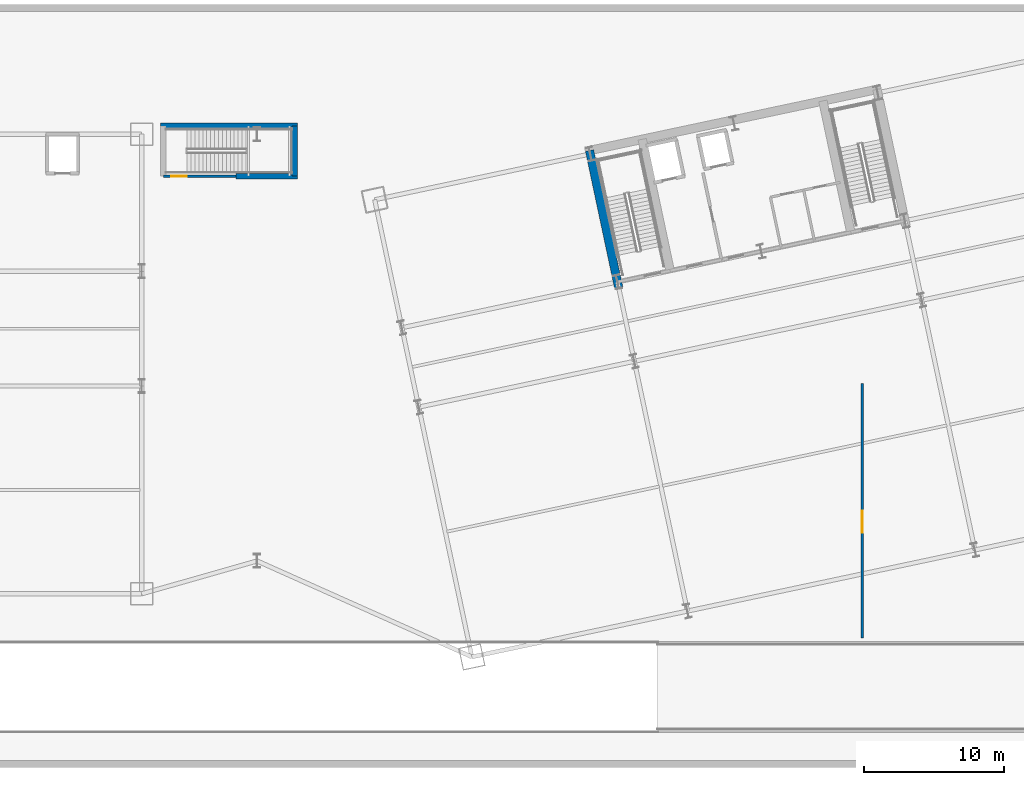
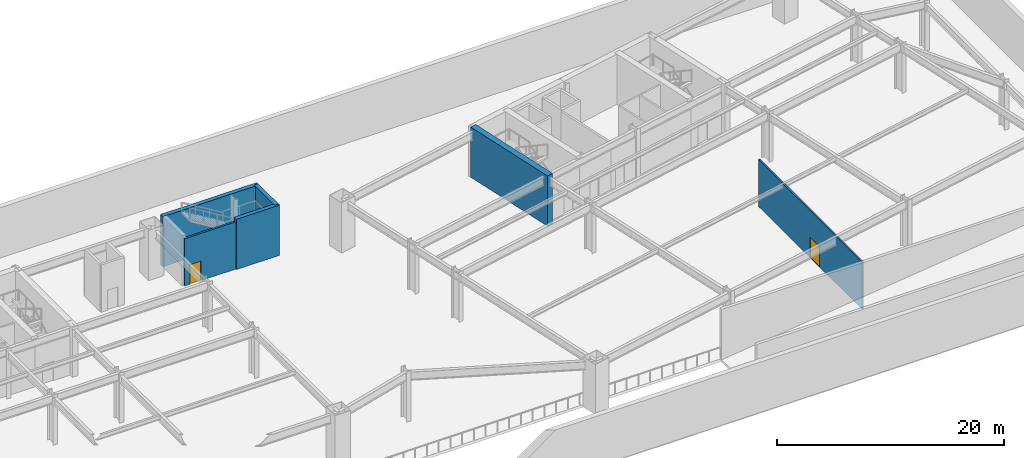
# One storey, part 8 of 16: 6 walls, 2 doors, 2 openings.
"""IFC4 building model written with IfcOpenShell, lengths in metres."""

from ifc_helpers import new_model, si_unit, direction, frame, frame_2d, origin, place, context, subcontext, project, spatial, rectangle, extrude, material, layer, layer_set, type_object, element, fill, save


model = new_model("IFC4")

# Units and contexts
model_context = context("Model", 3, precision=1e-05, world=origin(), true_north=direction((0.0, 1.0)))
body_context = subcontext(model_context, "Body", "Model", "MODEL_VIEW")
ifc_project = project(units=[si_unit("LENGTHUNIT", "METRE"), si_unit("AREAUNIT", "SQUARE_METRE"), si_unit("VOLUMEUNIT", "CUBIC_METRE"), si_unit("PLANEANGLEUNIT", "RADIAN"), si_unit("MASSUNIT", "GRAM", prefix="KILO")], contexts=[model_context])

# Site, building, storey
site_placement = place(None, origin())
site = spatial("IfcSite", under=ifc_project, at=site_placement, CompositionType="ELEMENT")
building_placement = place(site_placement, origin())
building = spatial("IfcBuilding", under=site, at=building_placement, Name="Haevon Station Towers", CompositionType="ELEMENT")
storey_placement = place(building_placement, frame((0.0, 0.0, -5.39990234375)))
storey = spatial("IfcBuildingStorey", under=building, at=storey_placement, Name="B01", CompositionType="ELEMENT", Elevation=-5.39990234375)

# Wall, opening, door
ifc_material_1 = material(Name="Gypsum board on steel stud", Category="steel")
ifc_layer_1 = layer(ifc_material_1, 0.199951171875)
ifc_layer_set_1 = layer_set([ifc_layer_1], Name="Gypsum board on steel stud")
wall_type_1 = type_object("IfcWallType", Name="WL-COR200", PredefinedType="PARTITIONING", material=ifc_layer_set_1)
wall_1_placement = place(storey_placement, frame((66.300048828125, 45.0, 0.0), z_axis=(0.0, 0.0, 1.0), x_axis=(1.0, 0.0, 0.0)))
wall_1 = element("IfcWall", 1, at=wall_1_placement, inside=storey, type_object=wall_type_1, Name="WL-ST-ST6-B01-S", PredefinedType="PARTITIONING", context=body_context, shape_type="SweptSolid", body=[
    extrude(rectangle(XDim=5.199951171875, YDim=0.199951171875, at=frame_2d((2.60009765625, 0.0))), origin(), (0.0, 0.0, 1.0), 5.079833984375),
])
opening_1_placement = place(wall_1_placement, frame((0.550048828125, 0.0, 0.0)))
opening_1 = element("IfcOpeningElement", 2, at=opening_1_placement, cuts=wall_1, Name="Opening DR-ST-ST6-B01", PredefinedType="OPENING", context=body_context, shape_type="SweptSolid", body=[
    extrude(rectangle(XDim=1.1201171875, YDim=2.10009765625, at=frame_2d((0.56005859375, 1.050048828125))), frame((0.0, 0.10986328125, 0.0), z_axis=(0.0, -1.0, 0.0), x_axis=(1.0, 0.0, 0.0)), (0.0, 0.0, 1.0), 0.219970703125),
])
ifc_material_2 = material(Name="Engineered oak timber", Category="wood")
door_type_1 = type_object("IfcDoorType", Name="DR-ST-1120", OperationType="NOTDEFINED", PredefinedType="DOOR", material=ifc_material_2)
door_1_placement = place(opening_1_placement, origin())
door_1 = element("IfcDoor", 3, at=door_1_placement, inside=storey, type_object=door_type_1, Name="B01 Station Escape Stair ST6 Fire Door", OperationType="SINGLE_SWING_RIGHT", OverallHeight=2.10009765625, OverallWidth=1.1201171875, PredefinedType="DOOR", context=body_context, shape_type="SweptSolid", body=[
    extrude(rectangle(XDim=1.1201171875, YDim=2.10009765625, at=frame_2d((0.56005859375, 1.050048828125))), frame((0.0, 0.02490234375, 0.0), z_axis=(0.0, -1.0, 0.0), x_axis=(1.0, 0.0, 0.0)), (0.0, 0.0, 1.0), 0.050048828125),
])
fill(opening_1, door_1)

# Walls
ifc_material_3 = material(Name="Concrete C60/75", Category="concrete")
ifc_layer_2 = layer(ifc_material_3, 0.39990234375)
ifc_layer_set_2 = layer_set([ifc_layer_2], Name="Concrete C60/75")
wall_type_2 = type_object("IfcWallType", Name="WL-CR400", PredefinedType="SHEAR", material=ifc_layer_set_2)
wall_2_placement = place(storey_placement, frame((66.10009765625, 48.60009765625, 0.0), z_axis=(0.0, 0.0, 1.0), x_axis=(1.0, 0.0, 0.0)))
element("IfcWall", 4, at=wall_2_placement, inside=storey, type_object=wall_type_2, Name="WL-ST6CR-B01-N", PredefinedType="SHEAR", context=body_context, shape_type="SweptSolid", body=[
    extrude(rectangle(XDim=9.7998046875, YDim=0.39990234375, at=frame_2d((4.89990234375, 0.0))), origin(), (0.0, 0.0, 1.0), 5.39990234375),
])
wall_3_placement = place(storey_placement, frame((75.699951171875, 45.0, 0.0), z_axis=(0.0, 0.0, 1.0), x_axis=(0.0, 1.0, 0.0)))
element("IfcWall", 5, at=wall_3_placement, inside=storey, type_object=wall_type_2, Name="WL-ST6CR-B01-E", PredefinedType="SHEAR", context=body_context, shape_type="SweptSolid", body=[
    extrude(rectangle(XDim=3.60009765625, YDim=0.39990234375, at=frame_2d((1.800048828125, 0.0))), origin(), (0.0, 0.0, 1.0), 5.39990234375),
])
wall_4_placement = place(storey_placement, frame((71.5, 45.0, 0.0), z_axis=(0.0, 0.0, 1.0), x_axis=(1.0, 0.0, 0.0)))
element("IfcWall", 6, at=wall_4_placement, inside=storey, type_object=wall_type_2, Name="WL-ST6CR-B01-S2", PredefinedType="SHEAR", context=body_context, shape_type="SweptSolid", body=[
    extrude(rectangle(XDim=4.39990234375, YDim=0.39990234375, at=frame_2d((2.199951171875, 0.0))), origin(), (0.0, 0.0, 1.0), 5.39990234375),
])
ifc_layer_3 = layer(ifc_material_3, 0.60009765625)
ifc_layer_set_3 = layer_set([ifc_layer_3], Name="Concrete C60/75")
wall_type_3 = type_object("IfcWallType", Name="WL-CR600", PredefinedType="SHEAR", material=ifc_layer_set_3)
wall_5_placement = place(storey_placement, frame((98.8603515625, 36.933837890625, 0.0), z_axis=(0.0, 0.0, 1.0), x_axis=(-0.20790924889, 0.978148119778, 0.0)))
element("IfcWall", 7, at=wall_5_placement, inside=storey, type_object=wall_type_3, Name="WL-T2CR-B01-W", PredefinedType="SHEAR", context=body_context, shape_type="SweptSolid", body=[
    extrude(rectangle(XDim=10.119873046875, YDim=0.60009765625, at=frame_2d((5.06005859375, 0.0))), origin(), (0.0, 0.0, 1.0), 5.39990234375),
])

# Wall, opening, door
ifc_layer_4 = layer(ifc_material_1, 0.159912109375)
ifc_layer_set_4 = layer_set([ifc_layer_4], Name="Gypsum board on steel stud")
wall_type_4 = type_object("IfcWallType", Name="WL-PRT160", PredefinedType="PARTITIONING", material=ifc_layer_set_4)
wall_6_placement = place(storey_placement, frame((116.25, 12.0, 0.0), z_axis=(0.0, 0.0, 1.0), x_axis=(0.0, 1.0, 0.0)))
wall_6 = element("IfcWall", 8, at=wall_6_placement, inside=storey, type_object=wall_type_4, Name="WL-B01-BIKE", PredefinedType="PARTITIONING", context=body_context, shape_type="SweptSolid", body=[
    extrude(rectangle(XDim=18.199951171875, YDim=0.159912109375, at=frame_2d((9.10009765625, 0.0))), origin(), (0.0, 0.0, 1.0), 5.079833984375),
])
opening_2_placement = place(wall_6_placement, frame((7.5, 0.0, 0.0)))
opening_2 = element("IfcOpeningElement", 9, at=opening_2_placement, cuts=wall_6, Name="Opening DR-WL-B01-BIKE-1", PredefinedType="OPENING", context=body_context, shape_type="SweptSolid", body=[
    extrude(rectangle(XDim=1.60009765625, YDim=2.199951171875, at=frame_2d((0.800048828125, 1.10009765625))), frame((0.0, 0.08984375, 0.0), z_axis=(0.0, -1.0, 0.0), x_axis=(1.0, 0.0, 0.0)), (0.0, 0.0, 1.0), 0.179931640625),
])
door_type_2 = type_object("IfcDoorType", Name="DR-POD-1600", OperationType="NOTDEFINED", PredefinedType="DOOR", material=ifc_material_2)
door_2_placement = place(opening_2_placement, origin())
door_2 = element("IfcDoor", 10, at=door_2_placement, inside=storey, type_object=door_type_2, Name="B01 Interior Door WL-B01-BIKE-1", OperationType="DOUBLE_DOOR_SINGLE_SWING", OverallHeight=2.199951171875, OverallWidth=1.60009765625, PredefinedType="DOOR", context=body_context, shape_type="SweptSolid", body=[
    extrude(rectangle(XDim=1.60009765625, YDim=2.199951171875, at=frame_2d((0.800048828125, 1.10009765625))), frame((0.0, 0.02490234375, 0.0), z_axis=(0.0, -1.0, 0.0), x_axis=(1.0, 0.0, 0.0)), (0.0, 0.0, 1.0), 0.050048828125),
])
fill(opening_2, door_2)

save(model, "model.ifc")
